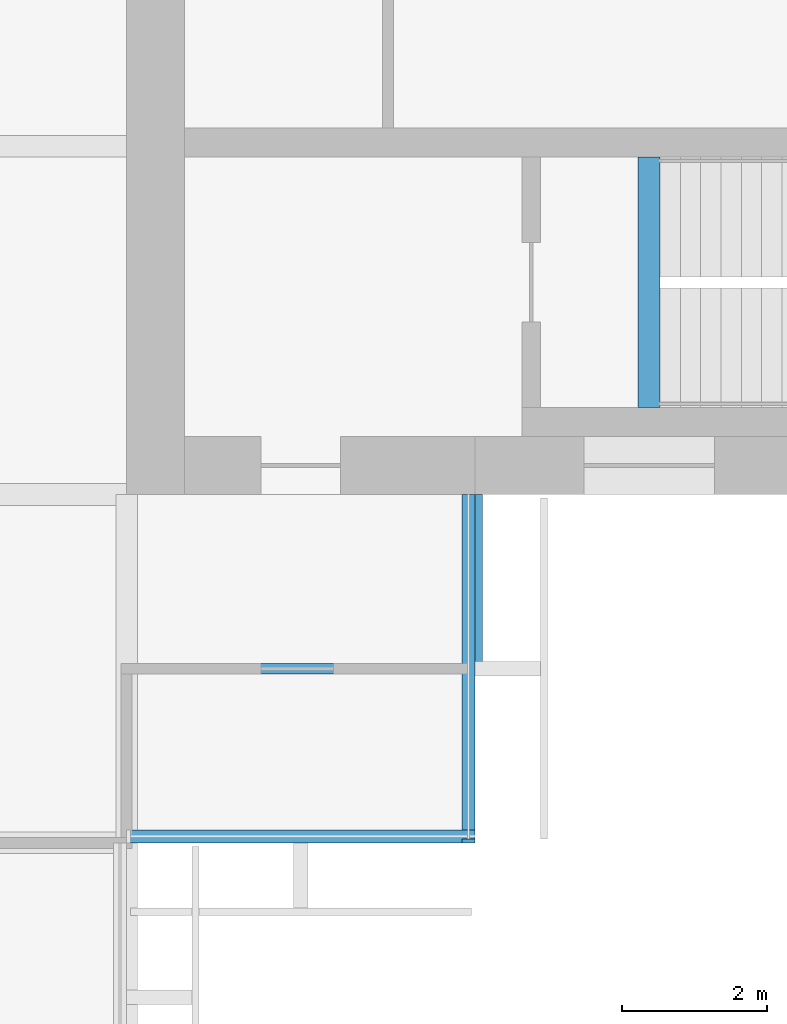
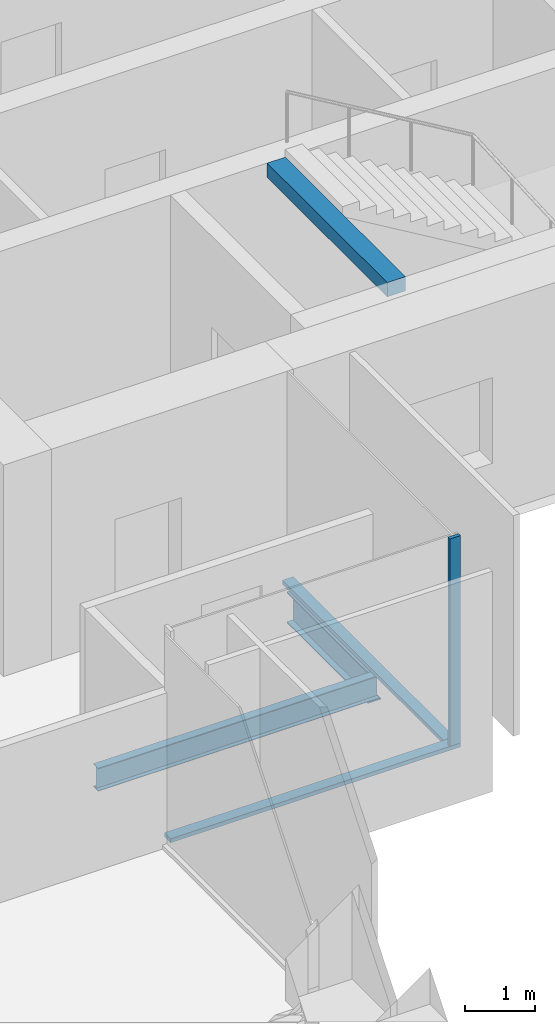
# One storey, part 4 of 13: 3 beams, 3 members, 2 elements without a shape of their own.
"""IFC4 building model written with IfcOpenShell, lengths in metres."""

from ifc_helpers import new_model, si_unit, direction, frame, origin, origin_2d, place, context, subcontext, project, spatial, rectangle, i_section, extrude, material, material_profile, profile_set, type_object, element, aggregate, save


model = new_model("IFC4")

# Units and contexts
model_context = context("Model", 3, precision=1e-05, world=origin(), true_north=direction((0.0, 1.0)))
body_context = subcontext(model_context, "Body", "Model", "MODEL_VIEW")
ifc_project = project(units=[si_unit("LENGTHUNIT", "METRE"), si_unit("AREAUNIT", "SQUARE_METRE"), si_unit("VOLUMEUNIT", "CUBIC_METRE"), si_unit("PLANEANGLEUNIT", "RADIAN"), si_unit("MASSUNIT", "GRAM", prefix="KILO")], contexts=[model_context])

# Site, building, storey
site_placement = place(None, origin())
site = spatial("IfcSite", under=ifc_project, at=site_placement, CompositionType="ELEMENT")
building_placement = place(site_placement, origin())
building = spatial("IfcBuilding", under=site, at=building_placement, Name="Baori Bourse Tower", CompositionType="ELEMENT")
storey_placement = place(building_placement, frame((0.0, 0.0, 261.199951171875)))
storey = spatial("IfcBuildingStorey", under=building, at=storey_placement, Name="L58", CompositionType="ELEMENT", Elevation=261.199951171875)

# Curtain wall, member
ifc_material_1 = material(Name="Pale anodised aluminium", Category="aluminium")
curtain_wall_type = type_object("IfcCurtainWallType", Name="CW2 Curtain wall", PredefinedType="NOTDEFINED", material=ifc_material_1)
curtain_wall_1_placement = place(storey_placement, origin())
curtain_wall_1 = element("IfcCurtainWall", 1, at=curtain_wall_1_placement, inside=storey, type_object=curtain_wall_type, Name="Curtain wall CW2 L58 14", PredefinedType="NOTDEFINED")
ifc_material_2 = material(Name="Pale anodised aluminium", Category="aluminium")
ifc_material_profile_1 = material_profile(ifc_material_2, rectangle(XDim=0.179931640625, YDim=0.054931640625, at=origin_2d()), Name="Mullion 55x180")
ifc_profile_set_1 = profile_set([ifc_material_profile_1], Name="Pale anodised aluminium")
member_type_1 = type_object("IfcMemberType", Name="CW2 Curtain wall mullion", PredefinedType="MULLION", material=ifc_profile_set_1)
member_1_placement = place(storey_placement, frame((43.110107421875, 4.827392578125, 0.070068359375), z_axis=(0.0, 0.0, 1.0), x_axis=(-1.0, 0.0, 0.0)))
member_1 = element("IfcMember", 2, at=member_1_placement, type_object=member_type_1, Name="Curtain wall CW2 mullion", PredefinedType="MULLION", context=body_context, shape_type="SweptSolid", body=[
    extrude(rectangle(XDim=0.179931640625, YDim=0.054931640625, at=origin_2d()), origin(), (0.0, 0.0, 1.0), 3.6298828125),
])

curtain_wall_2_placement = place(storey_placement, origin())
curtain_wall_2 = element("IfcCurtainWall", 3, at=curtain_wall_2_placement, inside=storey, type_object=curtain_wall_type, Name="Curtain wall CW2 L58 13", PredefinedType="NOTDEFINED")
ifc_material_3 = material(Name="Pale anodised aluminium", Category="aluminium")
ifc_material_profile_2 = material_profile(ifc_material_3, rectangle(XDim=0.179931640625, YDim=0.070068359375, at=origin_2d()), Name="Transom 70x180")
ifc_profile_set_2 = profile_set([ifc_material_profile_2], Name="Pale anodised aluminium")
member_type_2 = type_object("IfcMemberType", Name="CW2 Curtain wall transom", PredefinedType="USERDEFINED", material=ifc_profile_set_2)
member_2_placement = place(storey_placement, frame((38.39990234375, 4.889892578125, 0.03515625), z_axis=(1.0, 0.0, 0.0), x_axis=(0.0, 1.0, 0.0)))
member_2 = element("IfcMember", 4, at=member_2_placement, type_object=member_type_2, Name="Curtain wall CW2 sill rail", ObjectType="TRANSOM", PredefinedType="USERDEFINED", context=body_context, shape_type="SweptSolid", body=[
    extrude(rectangle(XDim=0.179931640625, YDim=0.070068359375, at=origin_2d()), origin(), (0.0, 0.0, 1.0), 4.800048828125),
])
aggregate(curtain_wall_2, [member_2])

# Member
member_3_placement = place(storey_placement, frame((43.110107421875, 4.800048828125, 0.03515625), z_axis=(0.0, 1.0, 0.0), x_axis=(-1.0, 0.0, 0.0)))
member_3 = element("IfcMember", 5, at=member_3_placement, type_object=member_type_2, Name="Curtain wall CW2 sill rail", ObjectType="TRANSOM", PredefinedType="USERDEFINED", context=body_context, shape_type="SweptSolid", body=[
    extrude(rectangle(XDim=0.179931640625, YDim=0.070068359375, at=origin_2d()), origin(), (0.0, 0.0, 1.0), 4.800048828125),
])

aggregate(curtain_wall_1, [member_3, member_1])

# Beams
ifc_material_4 = material(Name="Steel A992 Gr 50", Category="steel")
ifc_material_profile_3 = material_profile(ifc_material_4, i_section(OverallWidth=0.21240234375, OverallDepth=0.54345703125, WebThickness=0.01318359375, FlangeThickness=0.021240234375, at=origin_2d()), Name="W21x83")
ifc_profile_set_3 = profile_set([ifc_material_profile_3], Name="Steel A992 Gr 50")
beam_type_1 = type_object("IfcBeamType", Name="Core bracket W21x83", PredefinedType="BEAM", material=ifc_profile_set_3)
beam_1_placement = place(storey_placement, frame((43.199951171875, 7.270263671875, -0.431640625), z_axis=(0.0, 1.0, 0.0), x_axis=(-1.0, 0.0, 0.0)))
element("IfcBeam", 6, at=beam_1_placement, inside=storey, type_object=beam_type_1, Name="Core bracket L58", PredefinedType="BEAM", context=body_context, shape_type="SweptSolid", body=[
    extrude(i_section(OverallWidth=0.21240234375, OverallDepth=0.54345703125, WebThickness=0.01318359375, FlangeThickness=0.021240234375, at=origin_2d()), origin(), (0.0, 0.0, 1.0), 2.329833984375),
])
ifc_material_5 = material(Name="Concrete f'c 50 MPa", Category="concrete")
ifc_material_profile_4 = material_profile(ifc_material_5, rectangle(XDim=0.300048828125, YDim=0.25, at=origin_2d()), Name="RC 300x250")
ifc_profile_set_4 = profile_set([ifc_material_profile_4], Name="Concrete f'c 50 MPa")
beam_type_2 = type_object("IfcBeamType", Name="Stair nib beam RC 300x250", PredefinedType="BEAM", material=ifc_profile_set_4)
beam_2_placement = place(storey_placement, frame((45.60009765625, 10.800048828125, 3.574951171875), z_axis=(0.0, 1.0, 0.0), x_axis=(-1.0, 0.0, 0.0)))
element("IfcBeam", 7, at=beam_2_placement, inside=storey, type_object=beam_type_2, Name="Stair EA nib beam L59", PredefinedType="BEAM", context=body_context, shape_type="SweptSolid", body=[
    extrude(rectangle(XDim=0.300048828125, YDim=0.25, at=origin_2d()), origin(), (0.0, 0.0, 1.0), 3.449951171875),
])
ifc_material_6 = material(Name="Steel A992 Gr 50", Category="steel")
ifc_material_profile_5 = material_profile(ifc_material_6, i_section(OverallWidth=0.140380859375, OverallDepth=0.40380859375, WebThickness=0.007080078125, FlangeThickness=0.01123046875, at=origin_2d()), Name="W16x31")
ifc_profile_set_5 = profile_set([ifc_material_profile_5], Name="Steel A992 Gr 50")
beam_type_3 = type_object("IfcBeamType", Name="Trimmer beam W16x31", PredefinedType="BEAM", material=ifc_profile_set_5)
beam_3_placement = place(storey_placement, frame((38.546142578125, 7.199951171875, -0.36181640625), z_axis=(1.0, 0.0, 0.0), x_axis=(0.0, 1.0, 0.0)))
element("IfcBeam", 8, at=beam_3_placement, inside=storey, type_object=beam_type_3, Name="Trimmer beam L58", PredefinedType="BEAM", context=body_context, shape_type="SweptSolid", body=[
    extrude(i_section(OverallWidth=0.140380859375, OverallDepth=0.40380859375, WebThickness=0.007080078125, FlangeThickness=0.01123046875, at=origin_2d()), origin(), (0.0, 0.0, 1.0), 4.65380859375),
])

save(model, "model.ifc")
